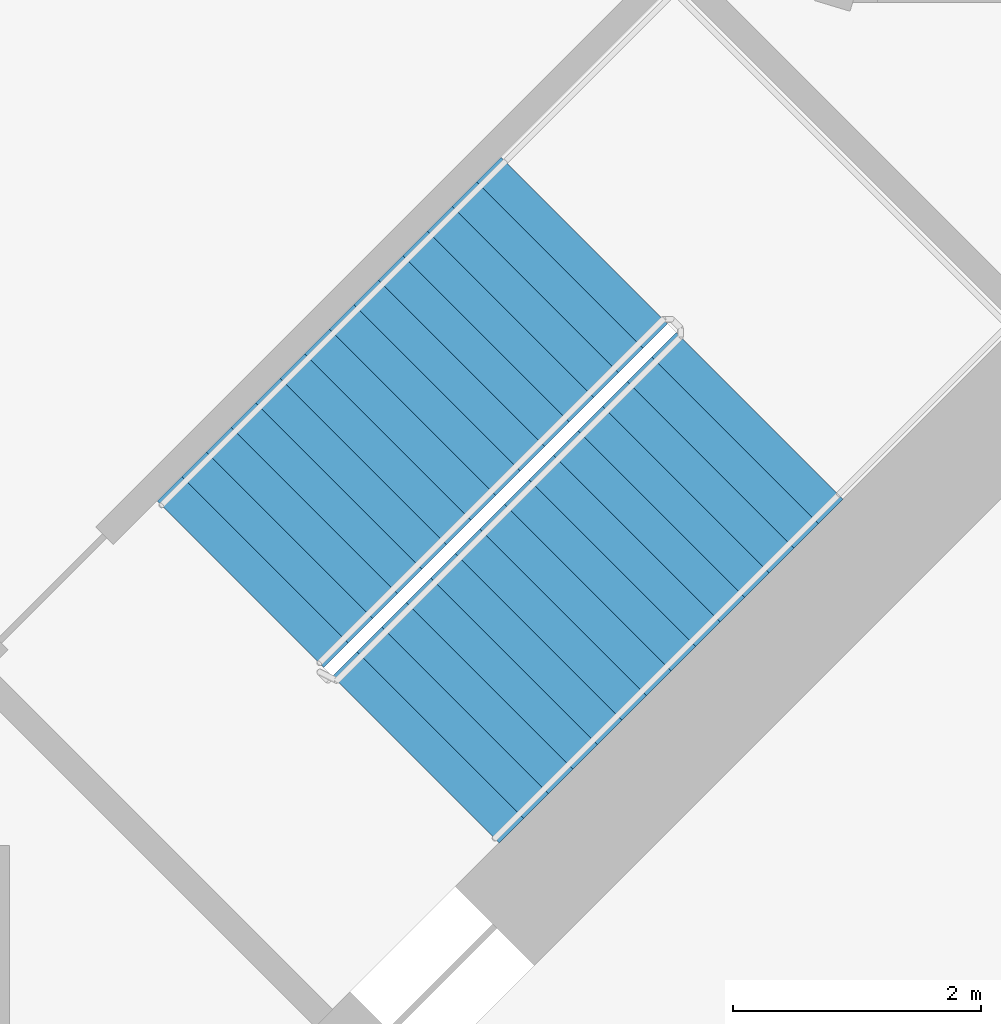
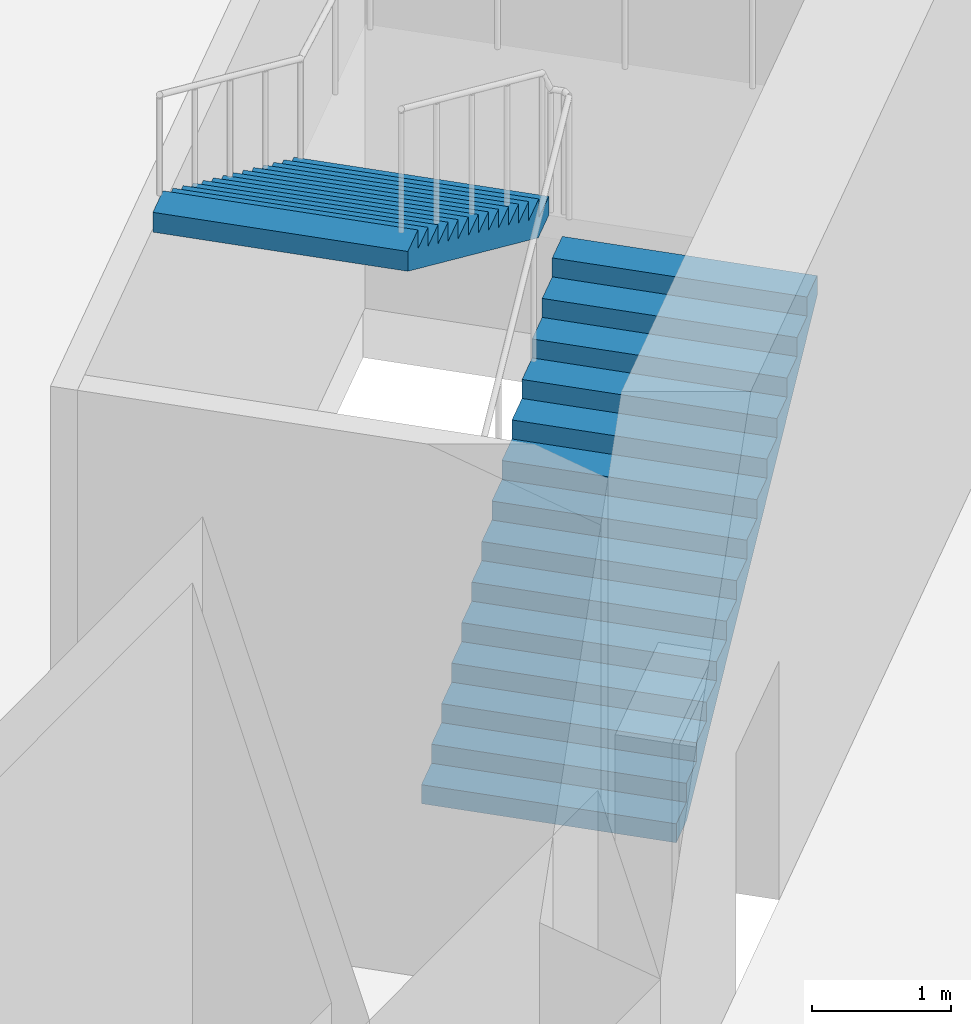
# One storey, part 14 of 16: 2 stair flights, 1 element without a shape of its own.
"""IFC4 building model written with IfcOpenShell, lengths in metres."""

from ifc_helpers import new_model, si_unit, direction, frame, origin, place, context, subcontext, project, spatial, triangles, material, type_object, element, aggregate, save


model = new_model("IFC4")

# Units and contexts
model_context = context("Model", 3, precision=1e-05, world=origin(), true_north=direction((0.0, 1.0)))
body_context = subcontext(model_context, "Body", "Model", "MODEL_VIEW")
ifc_project = project(units=[si_unit("LENGTHUNIT", "METRE"), si_unit("AREAUNIT", "SQUARE_METRE"), si_unit("VOLUMEUNIT", "CUBIC_METRE"), si_unit("PLANEANGLEUNIT", "RADIAN"), si_unit("MASSUNIT", "GRAM", prefix="KILO")], contexts=[model_context])

# Site, building, storey
site_placement = place(None, origin())
site = spatial("IfcSite", under=ifc_project, at=site_placement, CompositionType="ELEMENT")
building_placement = place(site_placement, origin())
building = spatial("IfcBuilding", under=site, at=building_placement, Name="Verdalira Terraces Hotel", CompositionType="ELEMENT")
storey_placement = place(building_placement, frame((0.0, 0.0, 34.0)))
storey = spatial("IfcBuildingStorey", under=building, at=storey_placement, Name="L06", CompositionType="ELEMENT", Elevation=34.0)

# Stair, stair flights
ifc_material_1 = material(Name="Concrete C40", Category="concrete")
stair_type = type_object("IfcStairType", Name="Core stair 30 risers 1900 mm wide", PredefinedType="HALF_TURN_STAIR", material=ifc_material_1)
stair_placement = place(storey_placement, origin())
stair = element("IfcStair", 1, at=stair_placement, inside=storey, type_object=stair_type, Name="L06 Exit stair ST3", PredefinedType="HALF_TURN_STAIR")
ifc_material_2 = material(Name="Concrete C40", Category="concrete")
stair_flight_type = type_object("IfcStairFlightType", Name="Core stair flight 30 risers 1900 mm wide", PredefinedType="STRAIGHT", material=ifc_material_2)
stair_flight_1_placement = place(storey_placement, frame((7.177246, -10.005615, 0.0), z_axis=(0.0, 0.0, 1.0), x_axis=(0.707106781, 0.707106781, 0.0)))
stair_flight_1 = element("IfcStairFlight", 2, at=stair_flight_1_placement, type_object=stair_flight_type, Name="ST3 flight 1", NumberOfRisers=15, NumberOfTreads=14, PredefinedType="STRAIGHT", RiserHeight=0.166666667, TreadLength=0.28, context=body_context, shape_type="Tessellation", body=[
    triangles([(0.0, 0.949951, 0.0), (0.292969, 0.949951, 0.0), (3.919922, 0.949951, 2.158936), (0.0, -0.949951, 0.0), (0.292969, -0.949951, 0.0), (3.919922, -0.949951, 2.158936), (3.919922, 0.949951, 2.333252), (3.639893, 0.949951, 2.333252), (3.919922, -0.949951, 2.333252), (3.639893, -0.949951, 2.333252), (3.639893, 0.949951, 2.166748), (3.639893, -0.949951, 2.166748), (3.360107, 0.949951, 2.166748), (3.360107, -0.949951, 2.166748), (3.360107, 0.949951, 2.0), (3.360107, -0.949951, 2.0), (3.080078, 0.949951, 2.0), (3.080078, 0.949951, 1.833252), (3.080078, -0.949951, 2.0), (3.080078, -0.949951, 1.833252), (2.800049, 0.949951, 1.833252), (2.800049, 0.949951, 1.666748), (2.800049, -0.949951, 1.833252), (2.800049, -0.949951, 1.666748), (2.52002, 0.949951, 1.666748), (2.52002, 0.949951, 1.5), (2.52002, -0.949951, 1.666748), (2.52002, -0.949951, 1.5), (2.23999, 0.949951, 1.5), (2.23999, 0.949951, 1.333252), (2.23999, -0.949951, 1.5), (2.23999, -0.949951, 1.333252), (1.959961, 0.949951, 1.333252), (1.959961, 0.949951, 1.166748), (1.959961, -0.949951, 1.333252), (1.959961, -0.949951, 1.166748), (1.679932, 0.949951, 1.166748), (1.679932, 0.949951, 1.0), (1.679932, -0.949951, 1.166748), (1.679932, -0.949951, 1.0), (1.399902, 0.949951, 1.0), (1.399902, 0.949951, 0.833252), (1.399902, -0.949951, 1.0), (1.399902, -0.949951, 0.833252), (1.120117, 0.949951, 0.833252), (1.120117, 0.949951, 0.666748), (1.120117, -0.949951, 0.833252), (1.120117, -0.949951, 0.666748), (0.840088, 0.949951, 0.666748), (0.840088, 0.949951, 0.5), (0.840088, -0.949951, 0.666748), (0.840088, -0.949951, 0.5), (0.560059, 0.949951, 0.5), (0.560059, 0.949951, 0.333252), (0.560059, -0.949951, 0.5), (0.560059, -0.949951, 0.333252), (0.280029, 0.949951, 0.333252), (0.280029, 0.949951, 0.166748), (0.280029, -0.949951, 0.333252), (0.280029, -0.949951, 0.166748), (0.0, 0.949951, 0.166748), (0.0, -0.949951, 0.166748), (0.0, -0.890579, 0.0), (0.0, -0.890579, 0.166748), (0.0, -0.831207, 0.0), (0.0, -0.831207, 0.166748), (0.0, -0.771835, 0.0), (0.0, -0.771835, 0.166748), (0.0, -0.712463, 0.0), (0.0, -0.712463, 0.166748), (0.0, -0.653091, 0.0), (0.0, -0.653091, 0.166748), (0.0, -0.593719, 0.0), (0.0, -0.593719, 0.166748), (0.0, -0.534348, 0.0), (0.0, -0.534348, 0.166748), (0.0, -0.474976, 0.0), (0.0, -0.474976, 0.166748), (0.0, -0.415604, 0.0), (0.0, -0.415604, 0.166748), (0.0, -0.356232, 0.0), (0.0, -0.356232, 0.166748), (0.0, -0.29686, 0.0), (0.0, -0.29686, 0.166748), (0.0, -0.237488, 0.0), (0.0, -0.237488, 0.166748), (0.0, -0.178116, 0.0), (0.0, -0.178116, 0.166748), (0.0, -0.118744, 0.0), (0.0, -0.118744, 0.166748), (0.0, -0.059372, 0.0), (0.0, -0.059372, 0.166748), (0.0, 0.0, 0.0), (0.0, 0.0, 0.166748), (0.0, 0.059372, 0.0), (0.0, 0.059372, 0.166748), (0.0, 0.118744, 0.0), (0.0, 0.118744, 0.166748), (0.0, 0.178116, 0.0), (0.0, 0.178116, 0.166748), (0.0, 0.237488, 0.0), (0.0, 0.237488, 0.166748), (0.0, 0.29686, 0.0), (0.0, 0.29686, 0.166748), (0.0, 0.356232, 0.0), (0.0, 0.356232, 0.166748), (0.0, 0.415604, 0.0), (0.0, 0.415604, 0.166748), (0.0, 0.474976, 0.0), (0.0, 0.474976, 0.166748), (0.0, 0.534348, 0.0), (0.0, 0.534348, 0.166748), (0.0, 0.593719, 0.0), (0.0, 0.593719, 0.166748), (0.0, 0.653091, 0.0), (0.0, 0.653091, 0.166748), (0.0, 0.712463, 0.0), (0.0, 0.712463, 0.166748), (0.0, 0.771835, 0.0), (0.0, 0.771835, 0.166748), (0.0, 0.831207, 0.0), (0.0, 0.831207, 0.166748), (0.0, 0.890579, 0.0), (0.0, 0.890579, 0.166748), (3.919922, -0.890579, 2.333252), (3.919922, -0.831207, 2.333252), (3.919922, -0.771835, 2.333252), (3.919922, -0.712463, 2.333252), (3.919922, -0.653091, 2.333252), (3.919922, -0.593719, 2.333252), (3.919922, -0.534348, 2.333252), (3.919922, -0.474976, 2.333252), (3.919922, -0.415604, 2.333252), (3.919922, -0.356232, 2.333252), (3.919922, -0.29686, 2.333252), (3.919922, -0.237488, 2.333252), (3.919922, -0.178116, 2.333252), (3.919922, -0.118744, 2.333252), (3.919922, -0.059372, 2.333252), (3.919922, 0.0, 2.333252), (3.919922, 0.059372, 2.333252), (3.919922, 0.118744, 2.333252), (3.919922, 0.178116, 2.333252), (3.919922, 0.237488, 2.333252), (3.919922, 0.29686, 2.333252), (3.919922, 0.356232, 2.333252), (3.919922, 0.415604, 2.333252), (3.919922, 0.474976, 2.333252), (3.919922, 0.534348, 2.333252), (3.919922, 0.593719, 2.333252), (3.919922, 0.653091, 2.333252), (3.919922, 0.712463, 2.333252), (3.919922, 0.771835, 2.333252), (3.919922, 0.831207, 2.333252), (3.919922, 0.890579, 2.333252), (3.919922, -0.890579, 2.158936), (3.919922, -0.831207, 2.158936), (3.919922, -0.771835, 2.158936), (3.919922, -0.712463, 2.158936), (3.919922, -0.653091, 2.158936), (3.919922, -0.593719, 2.158936), (3.919922, -0.534348, 2.158936), (3.919922, -0.474976, 2.158936), (3.919922, -0.415604, 2.158936), (3.919922, -0.356232, 2.158936), (3.919922, -0.29686, 2.158936), (3.919922, -0.237488, 2.158936), (3.919922, -0.178116, 2.158936), (3.919922, -0.118744, 2.158936), (3.919922, -0.059372, 2.158936), (3.919922, 0.0, 2.158936), (3.919922, 0.059372, 2.158936), (3.919922, 0.118744, 2.158936), (3.919922, 0.178116, 2.158936), (3.919922, 0.237488, 2.158936), (3.919922, 0.29686, 2.158936), (3.919922, 0.356232, 2.158936), (3.919922, 0.415604, 2.158936), (3.919922, 0.474976, 2.158936), (3.919922, 0.534348, 2.158936), (3.919922, 0.593719, 2.158936), (3.919922, 0.653091, 2.158936), (3.919922, 0.712463, 2.158936), (3.919922, 0.771835, 2.158936), (3.919922, 0.831207, 2.158936), (3.919922, 0.890579, 2.158936)], [[1, 3, 2], [4, 5, 6], [3, 8, 7], [6, 9, 10], [3, 11, 8], [6, 10, 12], [3, 13, 11], [6, 12, 14], [3, 15, 13], [6, 14, 16], [15, 18, 17], [16, 19, 20], [3, 18, 15], [6, 16, 20], [18, 22, 21], [20, 23, 24], [3, 22, 18], [6, 20, 24], [22, 26, 25], [24, 27, 28], [3, 26, 22], [6, 24, 28], [26, 30, 29], [28, 31, 32], [3, 30, 26], [6, 28, 32], [30, 34, 33], [32, 35, 36], [3, 34, 30], [6, 32, 36], [34, 38, 37], [36, 39, 40], [3, 38, 34], [6, 36, 40], [38, 42, 41], [40, 43, 44], [3, 42, 38], [6, 40, 44], [42, 46, 45], [44, 47, 48], [3, 46, 42], [6, 44, 48], [46, 50, 49], [48, 51, 52], [3, 50, 46], [6, 48, 52], [50, 54, 53], [52, 55, 56], [3, 54, 50], [6, 52, 56], [1, 54, 3], [4, 6, 56], [54, 58, 57], [56, 59, 60], [1, 58, 54], [4, 56, 60], [58, 1, 61], [60, 62, 4], [4, 64, 63], [4, 62, 64], [63, 66, 65], [63, 64, 66], [65, 68, 67], [65, 66, 68], [67, 70, 69], [67, 68, 70], [69, 72, 71], [69, 70, 72], [71, 74, 73], [71, 72, 74], [73, 76, 75], [73, 74, 76], [75, 78, 77], [75, 76, 78], [77, 80, 79], [77, 78, 80], [79, 82, 81], [79, 80, 82], [81, 84, 83], [81, 82, 84], [83, 86, 85], [83, 84, 86], [85, 88, 87], [85, 86, 88], [87, 90, 89], [87, 88, 90], [89, 92, 91], [89, 90, 92], [91, 94, 93], [91, 92, 94], [93, 96, 95], [93, 94, 96], [95, 98, 97], [95, 96, 98], [97, 100, 99], [97, 98, 100], [99, 102, 101], [99, 100, 102], [101, 104, 103], [101, 102, 104], [103, 106, 105], [103, 104, 106], [105, 108, 107], [105, 106, 108], [107, 110, 109], [107, 108, 110], [109, 112, 111], [109, 110, 112], [111, 114, 113], [111, 112, 114], [113, 116, 115], [113, 114, 116], [115, 118, 117], [115, 116, 118], [117, 120, 119], [117, 118, 120], [119, 122, 121], [119, 120, 122], [121, 124, 123], [121, 122, 124], [123, 61, 1], [123, 124, 61], [62, 60, 64], [64, 60, 66], [66, 60, 68], [68, 60, 70], [70, 60, 72], [72, 60, 74], [74, 60, 76], [76, 60, 78], [78, 60, 80], [80, 60, 82], [82, 60, 84], [84, 60, 86], [86, 60, 88], [88, 60, 90], [90, 60, 92], [92, 60, 94], [94, 60, 96], [96, 60, 98], [98, 60, 100], [100, 60, 102], [102, 60, 104], [104, 60, 106], [106, 60, 108], [108, 60, 110], [110, 60, 112], [112, 60, 114], [114, 60, 116], [116, 60, 118], [118, 60, 120], [120, 60, 122], [122, 60, 124], [124, 60, 61], [61, 60, 58], [60, 57, 58], [60, 59, 57], [59, 54, 57], [59, 56, 54], [56, 53, 54], [56, 55, 53], [55, 50, 53], [55, 52, 50], [52, 49, 50], [52, 51, 49], [51, 46, 49], [51, 48, 46], [48, 45, 46], [48, 47, 45], [47, 42, 45], [47, 44, 42], [44, 41, 42], [44, 43, 41], [43, 38, 41], [43, 40, 38], [40, 37, 38], [40, 39, 37], [39, 34, 37], [39, 36, 34], [36, 33, 34], [36, 35, 33], [35, 30, 33], [35, 32, 30], [32, 29, 30], [32, 31, 29], [31, 26, 29], [31, 28, 26], [28, 25, 26], [28, 27, 25], [27, 22, 25], [27, 24, 22], [24, 21, 22], [24, 23, 21], [23, 18, 21], [23, 20, 18], [20, 17, 18], [20, 19, 17], [19, 15, 17], [19, 16, 15], [16, 13, 15], [16, 14, 13], [14, 11, 13], [14, 12, 11], [12, 8, 11], [12, 10, 8], [9, 125, 10], [125, 126, 10], [126, 127, 10], [127, 128, 10], [128, 129, 10], [129, 130, 10], [130, 131, 10], [131, 132, 10], [132, 133, 10], [133, 134, 10], [134, 135, 10], [135, 136, 10], [136, 137, 10], [137, 138, 10], [138, 139, 10], [139, 140, 10], [140, 141, 10], [141, 142, 10], [142, 143, 10], [143, 144, 10], [144, 145, 10], [145, 146, 10], [146, 147, 10], [147, 148, 10], [148, 149, 10], [149, 150, 10], [150, 151, 10], [151, 152, 10], [152, 153, 10], [153, 154, 10], [154, 155, 10], [155, 7, 10], [7, 8, 10], [9, 156, 125], [9, 6, 156], [125, 157, 126], [125, 156, 157], [126, 158, 127], [126, 157, 158], [127, 159, 128], [127, 158, 159], [128, 160, 129], [128, 159, 160], [129, 161, 130], [129, 160, 161], [130, 162, 131], [130, 161, 162], [131, 163, 132], [131, 162, 163], [132, 164, 133], [132, 163, 164], [133, 165, 134], [133, 164, 165], [134, 166, 135], [134, 165, 166], [135, 167, 136], [135, 166, 167], [136, 168, 137], [136, 167, 168], [137, 169, 138], [137, 168, 169], [138, 170, 139], [138, 169, 170], [139, 171, 140], [139, 170, 171], [140, 172, 141], [140, 171, 172], [141, 173, 142], [141, 172, 173], [142, 174, 143], [142, 173, 174], [143, 175, 144], [143, 174, 175], [144, 176, 145], [144, 175, 176], [145, 177, 146], [145, 176, 177], [146, 178, 147], [146, 177, 178], [147, 179, 148], [147, 178, 179], [148, 180, 149], [148, 179, 180], [149, 181, 150], [149, 180, 181], [150, 182, 151], [150, 181, 182], [151, 183, 152], [151, 182, 183], [152, 184, 153], [152, 183, 184], [153, 185, 154], [153, 184, 185], [154, 186, 155], [154, 185, 186], [155, 3, 7], [155, 186, 3], [6, 5, 156], [156, 5, 157], [157, 5, 158], [158, 5, 159], [159, 5, 160], [160, 5, 161], [161, 5, 162], [162, 5, 163], [163, 5, 164], [164, 5, 165], [165, 5, 166], [166, 5, 167], [167, 5, 168], [168, 5, 169], [169, 5, 170], [170, 5, 171], [171, 5, 172], [172, 5, 173], [173, 5, 174], [174, 5, 175], [175, 5, 176], [176, 5, 177], [177, 5, 178], [178, 5, 179], [179, 5, 180], [180, 5, 181], [181, 5, 182], [182, 5, 183], [183, 5, 184], [184, 5, 185], [185, 5, 186], [186, 5, 3], [3, 5, 2], [4, 63, 5], [63, 65, 5], [65, 67, 5], [67, 69, 5], [69, 71, 5], [71, 73, 5], [73, 75, 5], [75, 77, 5], [77, 79, 5], [79, 81, 5], [81, 83, 5], [83, 85, 5], [85, 87, 5], [87, 89, 5], [89, 91, 5], [91, 93, 5], [93, 95, 5], [95, 97, 5], [97, 99, 5], [99, 101, 5], [101, 103, 5], [103, 105, 5], [105, 107, 5], [107, 109, 5], [109, 111, 5], [111, 113, 5], [113, 115, 5], [115, 117, 5], [117, 119, 5], [119, 121, 5], [121, 123, 5], [123, 1, 5], [1, 2, 5]], closed=True),
])
stair_flight_2_placement = place(storey_placement, frame((8.534668, -5.81958, 2.5), z_axis=(0.0, 0.0, 1.0), x_axis=(-0.707106781, -0.707106781, 0.0)))
stair_flight_2 = element("IfcStairFlight", 3, at=stair_flight_2_placement, type_object=stair_flight_type, Name="ST3 flight 2", NumberOfRisers=15, NumberOfTreads=14, PredefinedType="STRAIGHT", RiserHeight=0.166666667, TreadLength=0.28, context=body_context, shape_type="Tessellation", body=[
    triangles([(0.0, 0.949951, 0.0), (0.292969, 0.949951, 0.0), (3.919922, 0.949951, 2.158936), (0.0, -0.949951, 0.0), (0.292969, -0.949951, 0.0), (3.919922, -0.949951, 2.158936), (3.919922, 0.949951, 2.333252), (3.639893, 0.949951, 2.333252), (3.919922, -0.949951, 2.333252), (3.639893, -0.949951, 2.333252), (3.639893, 0.949951, 2.166748), (3.639893, -0.949951, 2.166748), (3.360107, 0.949951, 2.166748), (3.360107, -0.949951, 2.166748), (3.360107, 0.949951, 2.0), (3.360107, -0.949951, 2.0), (3.080078, 0.949951, 2.0), (3.080078, 0.949951, 1.833252), (3.080078, -0.949951, 2.0), (3.080078, -0.949951, 1.833252), (2.800049, 0.949951, 1.833252), (2.800049, 0.949951, 1.666748), (2.800049, -0.949951, 1.833252), (2.800049, -0.949951, 1.666748), (2.52002, 0.949951, 1.666748), (2.52002, 0.949951, 1.5), (2.52002, -0.949951, 1.666748), (2.52002, -0.949951, 1.5), (2.23999, 0.949951, 1.5), (2.23999, 0.949951, 1.333252), (2.23999, -0.949951, 1.5), (2.23999, -0.949951, 1.333252), (1.959961, 0.949951, 1.333252), (1.959961, 0.949951, 1.166748), (1.959961, -0.949951, 1.333252), (1.959961, -0.949951, 1.166748), (1.679932, 0.949951, 1.166748), (1.679932, 0.949951, 1.0), (1.679932, -0.949951, 1.166748), (1.679932, -0.949951, 1.0), (1.399902, 0.949951, 1.0), (1.399902, 0.949951, 0.833252), (1.399902, -0.949951, 1.0), (1.399902, -0.949951, 0.833252), (1.120117, 0.949951, 0.833252), (1.120117, 0.949951, 0.666748), (1.120117, -0.949951, 0.833252), (1.120117, -0.949951, 0.666748), (0.840088, 0.949951, 0.666748), (0.840088, 0.949951, 0.5), (0.840088, -0.949951, 0.666748), (0.840088, -0.949951, 0.5), (0.560059, 0.949951, 0.5), (0.560059, 0.949951, 0.333252), (0.560059, -0.949951, 0.5), (0.560059, -0.949951, 0.333252), (0.280029, 0.949951, 0.333252), (0.280029, 0.949951, 0.166748), (0.280029, -0.949951, 0.333252), (0.280029, -0.949951, 0.166748), (0.0, 0.949951, 0.166748), (0.0, -0.949951, 0.166748), (0.0, -0.890579, 0.0), (0.0, -0.890579, 0.166748), (0.0, -0.831207, 0.0), (0.0, -0.831207, 0.166748), (0.0, -0.771835, 0.0), (0.0, -0.771835, 0.166748), (0.0, -0.712463, 0.0), (0.0, -0.712463, 0.166748), (0.0, -0.653091, 0.0), (0.0, -0.653091, 0.166748), (0.0, -0.593719, 0.0), (0.0, -0.593719, 0.166748), (0.0, -0.534348, 0.0), (0.0, -0.534348, 0.166748), (0.0, -0.474976, 0.0), (0.0, -0.474976, 0.166748), (0.0, -0.415604, 0.0), (0.0, -0.415604, 0.166748), (0.0, -0.356232, 0.0), (0.0, -0.356232, 0.166748), (0.0, -0.29686, 0.0), (0.0, -0.29686, 0.166748), (0.0, -0.237488, 0.0), (0.0, -0.237488, 0.166748), (0.0, -0.178116, 0.0), (0.0, -0.178116, 0.166748), (0.0, -0.118744, 0.0), (0.0, -0.118744, 0.166748), (0.0, -0.059372, 0.0), (0.0, -0.059372, 0.166748), (0.0, 0.0, 0.0), (0.0, 0.0, 0.166748), (0.0, 0.059372, 0.0), (0.0, 0.059372, 0.166748), (0.0, 0.118744, 0.0), (0.0, 0.118744, 0.166748), (0.0, 0.178116, 0.0), (0.0, 0.178116, 0.166748), (0.0, 0.237488, 0.0), (0.0, 0.237488, 0.166748), (0.0, 0.29686, 0.0), (0.0, 0.29686, 0.166748), (0.0, 0.356232, 0.0), (0.0, 0.356232, 0.166748), (0.0, 0.415604, 0.0), (0.0, 0.415604, 0.166748), (0.0, 0.474976, 0.0), (0.0, 0.474976, 0.166748), (0.0, 0.534348, 0.0), (0.0, 0.534348, 0.166748), (0.0, 0.593719, 0.0), (0.0, 0.593719, 0.166748), (0.0, 0.653091, 0.0), (0.0, 0.653091, 0.166748), (0.0, 0.712463, 0.0), (0.0, 0.712463, 0.166748), (0.0, 0.771835, 0.0), (0.0, 0.771835, 0.166748), (0.0, 0.831207, 0.0), (0.0, 0.831207, 0.166748), (0.0, 0.890579, 0.0), (0.0, 0.890579, 0.166748), (3.919922, -0.890579, 2.333252), (3.919922, -0.831207, 2.333252), (3.919922, -0.771835, 2.333252), (3.919922, -0.712463, 2.333252), (3.919922, -0.653091, 2.333252), (3.919922, -0.593719, 2.333252), (3.919922, -0.534348, 2.333252), (3.919922, -0.474976, 2.333252), (3.919922, -0.415604, 2.333252), (3.919922, -0.356232, 2.333252), (3.919922, -0.29686, 2.333252), (3.919922, -0.237488, 2.333252), (3.919922, -0.178116, 2.333252), (3.919922, -0.118744, 2.333252), (3.919922, -0.059372, 2.333252), (3.919922, 0.0, 2.333252), (3.919922, 0.059372, 2.333252), (3.919922, 0.118744, 2.333252), (3.919922, 0.178116, 2.333252), (3.919922, 0.237488, 2.333252), (3.919922, 0.29686, 2.333252), (3.919922, 0.356232, 2.333252), (3.919922, 0.415604, 2.333252), (3.919922, 0.474976, 2.333252), (3.919922, 0.534348, 2.333252), (3.919922, 0.593719, 2.333252), (3.919922, 0.653091, 2.333252), (3.919922, 0.712463, 2.333252), (3.919922, 0.771835, 2.333252), (3.919922, 0.831207, 2.333252), (3.919922, 0.890579, 2.333252), (3.919922, -0.890579, 2.158936), (3.919922, -0.831207, 2.158936), (3.919922, -0.771835, 2.158936), (3.919922, -0.712463, 2.158936), (3.919922, -0.653091, 2.158936), (3.919922, -0.593719, 2.158936), (3.919922, -0.534348, 2.158936), (3.919922, -0.474976, 2.158936), (3.919922, -0.415604, 2.158936), (3.919922, -0.356232, 2.158936), (3.919922, -0.29686, 2.158936), (3.919922, -0.237488, 2.158936), (3.919922, -0.178116, 2.158936), (3.919922, -0.118744, 2.158936), (3.919922, -0.059372, 2.158936), (3.919922, 0.0, 2.158936), (3.919922, 0.059372, 2.158936), (3.919922, 0.118744, 2.158936), (3.919922, 0.178116, 2.158936), (3.919922, 0.237488, 2.158936), (3.919922, 0.29686, 2.158936), (3.919922, 0.356232, 2.158936), (3.919922, 0.415604, 2.158936), (3.919922, 0.474976, 2.158936), (3.919922, 0.534348, 2.158936), (3.919922, 0.593719, 2.158936), (3.919922, 0.653091, 2.158936), (3.919922, 0.712463, 2.158936), (3.919922, 0.771835, 2.158936), (3.919922, 0.831207, 2.158936), (3.919922, 0.890579, 2.158936)], [[1, 3, 2], [4, 5, 6], [3, 8, 7], [6, 9, 10], [3, 11, 8], [6, 10, 12], [3, 13, 11], [6, 12, 14], [3, 15, 13], [6, 14, 16], [15, 18, 17], [16, 19, 20], [3, 18, 15], [6, 16, 20], [18, 22, 21], [20, 23, 24], [3, 22, 18], [6, 20, 24], [22, 26, 25], [24, 27, 28], [3, 26, 22], [6, 24, 28], [26, 30, 29], [28, 31, 32], [3, 30, 26], [6, 28, 32], [30, 34, 33], [32, 35, 36], [3, 34, 30], [6, 32, 36], [34, 38, 37], [36, 39, 40], [3, 38, 34], [6, 36, 40], [38, 42, 41], [40, 43, 44], [3, 42, 38], [6, 40, 44], [42, 46, 45], [44, 47, 48], [3, 46, 42], [6, 44, 48], [46, 50, 49], [48, 51, 52], [3, 50, 46], [6, 48, 52], [50, 54, 53], [52, 55, 56], [3, 54, 50], [6, 52, 56], [1, 54, 3], [4, 6, 56], [54, 58, 57], [56, 59, 60], [1, 58, 54], [4, 56, 60], [58, 1, 61], [60, 62, 4], [4, 64, 63], [4, 62, 64], [63, 66, 65], [63, 64, 66], [65, 68, 67], [65, 66, 68], [67, 70, 69], [67, 68, 70], [69, 72, 71], [69, 70, 72], [71, 74, 73], [71, 72, 74], [73, 76, 75], [73, 74, 76], [75, 78, 77], [75, 76, 78], [77, 80, 79], [77, 78, 80], [79, 82, 81], [79, 80, 82], [81, 84, 83], [81, 82, 84], [83, 86, 85], [83, 84, 86], [85, 88, 87], [85, 86, 88], [87, 90, 89], [87, 88, 90], [89, 92, 91], [89, 90, 92], [91, 94, 93], [91, 92, 94], [93, 96, 95], [93, 94, 96], [95, 98, 97], [95, 96, 98], [97, 100, 99], [97, 98, 100], [99, 102, 101], [99, 100, 102], [101, 104, 103], [101, 102, 104], [103, 106, 105], [103, 104, 106], [105, 108, 107], [105, 106, 108], [107, 110, 109], [107, 108, 110], [109, 112, 111], [109, 110, 112], [111, 114, 113], [111, 112, 114], [113, 116, 115], [113, 114, 116], [115, 118, 117], [115, 116, 118], [117, 120, 119], [117, 118, 120], [119, 122, 121], [119, 120, 122], [121, 124, 123], [121, 122, 124], [123, 61, 1], [123, 124, 61], [62, 60, 64], [64, 60, 66], [66, 60, 68], [68, 60, 70], [70, 60, 72], [72, 60, 74], [74, 60, 76], [76, 60, 78], [78, 60, 80], [80, 60, 82], [82, 60, 84], [84, 60, 86], [86, 60, 88], [88, 60, 90], [90, 60, 92], [92, 60, 94], [94, 60, 96], [96, 60, 98], [98, 60, 100], [100, 60, 102], [102, 60, 104], [104, 60, 106], [106, 60, 108], [108, 60, 110], [110, 60, 112], [112, 60, 114], [114, 60, 116], [116, 60, 118], [118, 60, 120], [120, 60, 122], [122, 60, 124], [124, 60, 61], [61, 60, 58], [60, 57, 58], [60, 59, 57], [59, 54, 57], [59, 56, 54], [56, 53, 54], [56, 55, 53], [55, 50, 53], [55, 52, 50], [52, 49, 50], [52, 51, 49], [51, 46, 49], [51, 48, 46], [48, 45, 46], [48, 47, 45], [47, 42, 45], [47, 44, 42], [44, 41, 42], [44, 43, 41], [43, 38, 41], [43, 40, 38], [40, 37, 38], [40, 39, 37], [39, 34, 37], [39, 36, 34], [36, 33, 34], [36, 35, 33], [35, 30, 33], [35, 32, 30], [32, 29, 30], [32, 31, 29], [31, 26, 29], [31, 28, 26], [28, 25, 26], [28, 27, 25], [27, 22, 25], [27, 24, 22], [24, 21, 22], [24, 23, 21], [23, 18, 21], [23, 20, 18], [20, 17, 18], [20, 19, 17], [19, 15, 17], [19, 16, 15], [16, 13, 15], [16, 14, 13], [14, 11, 13], [14, 12, 11], [12, 8, 11], [12, 10, 8], [9, 125, 10], [125, 126, 10], [126, 127, 10], [127, 128, 10], [128, 129, 10], [129, 130, 10], [130, 131, 10], [131, 132, 10], [132, 133, 10], [133, 134, 10], [134, 135, 10], [135, 136, 10], [136, 137, 10], [137, 138, 10], [138, 139, 10], [139, 140, 10], [140, 141, 10], [141, 142, 10], [142, 143, 10], [143, 144, 10], [144, 145, 10], [145, 146, 10], [146, 147, 10], [147, 148, 10], [148, 149, 10], [149, 150, 10], [150, 151, 10], [151, 152, 10], [152, 153, 10], [153, 154, 10], [154, 155, 10], [155, 7, 10], [7, 8, 10], [9, 156, 125], [9, 6, 156], [125, 157, 126], [125, 156, 157], [126, 158, 127], [126, 157, 158], [127, 159, 128], [127, 158, 159], [128, 160, 129], [128, 159, 160], [129, 161, 130], [129, 160, 161], [130, 162, 131], [130, 161, 162], [131, 163, 132], [131, 162, 163], [132, 164, 133], [132, 163, 164], [133, 165, 134], [133, 164, 165], [134, 166, 135], [134, 165, 166], [135, 167, 136], [135, 166, 167], [136, 168, 137], [136, 167, 168], [137, 169, 138], [137, 168, 169], [138, 170, 139], [138, 169, 170], [139, 171, 140], [139, 170, 171], [140, 172, 141], [140, 171, 172], [141, 173, 142], [141, 172, 173], [142, 174, 143], [142, 173, 174], [143, 175, 144], [143, 174, 175], [144, 176, 145], [144, 175, 176], [145, 177, 146], [145, 176, 177], [146, 178, 147], [146, 177, 178], [147, 179, 148], [147, 178, 179], [148, 180, 149], [148, 179, 180], [149, 181, 150], [149, 180, 181], [150, 182, 151], [150, 181, 182], [151, 183, 152], [151, 182, 183], [152, 184, 153], [152, 183, 184], [153, 185, 154], [153, 184, 185], [154, 186, 155], [154, 185, 186], [155, 3, 7], [155, 186, 3], [6, 5, 156], [156, 5, 157], [157, 5, 158], [158, 5, 159], [159, 5, 160], [160, 5, 161], [161, 5, 162], [162, 5, 163], [163, 5, 164], [164, 5, 165], [165, 5, 166], [166, 5, 167], [167, 5, 168], [168, 5, 169], [169, 5, 170], [170, 5, 171], [171, 5, 172], [172, 5, 173], [173, 5, 174], [174, 5, 175], [175, 5, 176], [176, 5, 177], [177, 5, 178], [178, 5, 179], [179, 5, 180], [180, 5, 181], [181, 5, 182], [182, 5, 183], [183, 5, 184], [184, 5, 185], [185, 5, 186], [186, 5, 3], [3, 5, 2], [4, 63, 5], [63, 65, 5], [65, 67, 5], [67, 69, 5], [69, 71, 5], [71, 73, 5], [73, 75, 5], [75, 77, 5], [77, 79, 5], [79, 81, 5], [81, 83, 5], [83, 85, 5], [85, 87, 5], [87, 89, 5], [89, 91, 5], [91, 93, 5], [93, 95, 5], [95, 97, 5], [97, 99, 5], [99, 101, 5], [101, 103, 5], [103, 105, 5], [105, 107, 5], [107, 109, 5], [109, 111, 5], [111, 113, 5], [113, 115, 5], [115, 117, 5], [117, 119, 5], [119, 121, 5], [121, 123, 5], [123, 1, 5], [1, 2, 5]], closed=True),
])
aggregate(stair, [stair_flight_1, stair_flight_2])

save(model, "model.ifc")
